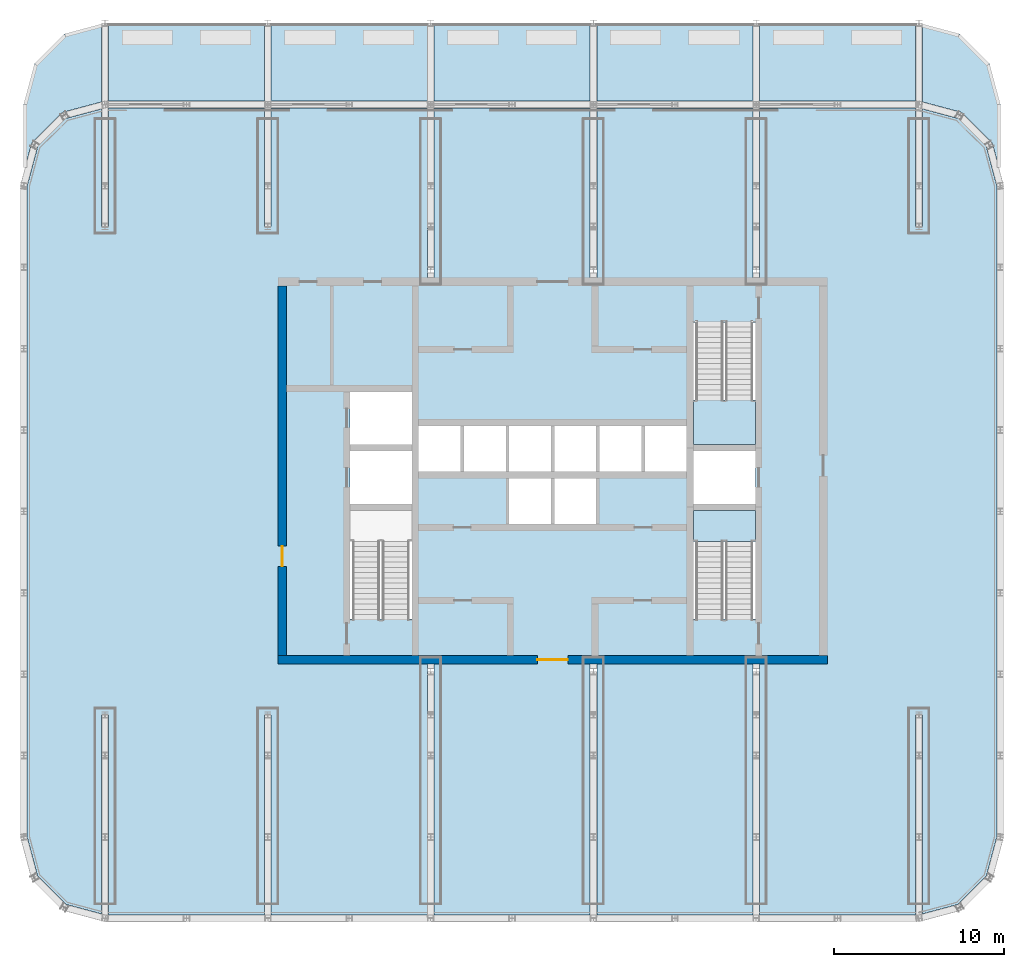
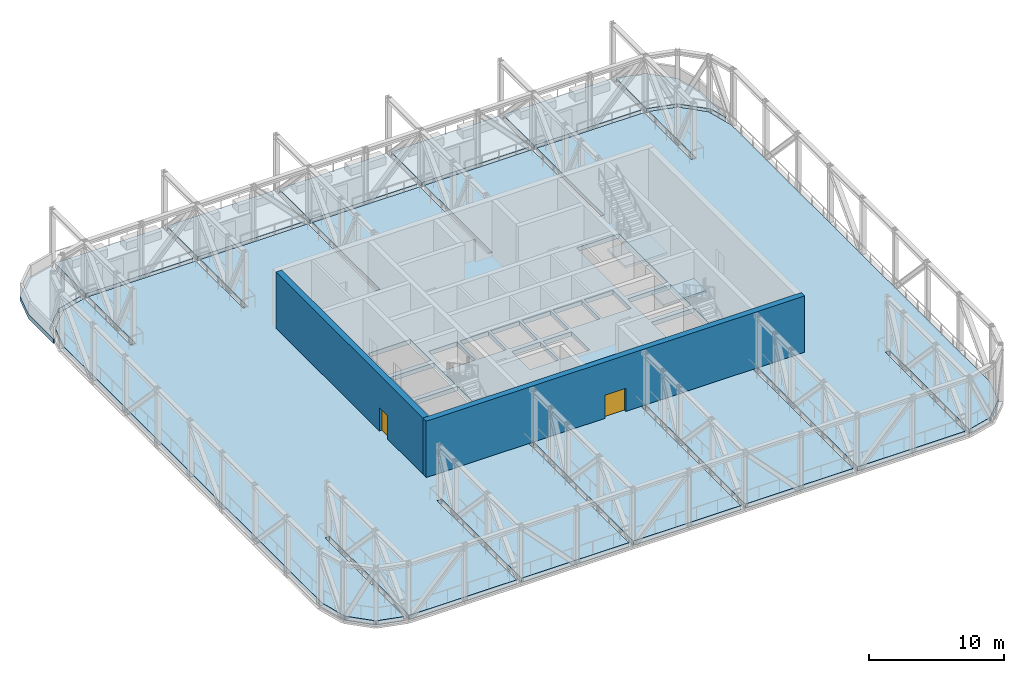
# One storey, part 8 of 16: 10 slabs, 2 doors, 2 walls, 2 openings, 2 elements without a shape of their own.
"""IFC4 building model written with IfcOpenShell, lengths in metres."""

from ifc_helpers import new_model, si_unit, direction, frame, frame_2d, origin, place, context, subcontext, project, spatial, polyline, rectangle, outline, extrude, material, layer, layer_set, type_object, element, fill, aggregate, save


model = new_model("IFC4")

# Units and contexts
model_context = context("Model", 3, precision=1e-05, world=origin(), true_north=direction((0.0, 1.0)))
body_context = subcontext(model_context, "Body", "Model", "MODEL_VIEW")
ifc_project = project(units=[si_unit("LENGTHUNIT", "METRE"), si_unit("AREAUNIT", "SQUARE_METRE"), si_unit("VOLUMEUNIT", "CUBIC_METRE"), si_unit("PLANEANGLEUNIT", "RADIAN"), si_unit("MASSUNIT", "GRAM", prefix="KILO")], contexts=[model_context])

# Site, building, storey
site_placement = place(None, origin())
site = spatial("IfcSite", under=ifc_project, at=site_placement, CompositionType="ELEMENT")
building_placement = place(site_placement, origin())
building = spatial("IfcBuilding", under=site, at=building_placement, Name="Madar Terraces", CompositionType="ELEMENT")
storey_placement = place(building_placement, frame((0.0, 0.0, 263.199951171875)))
storey = spatial("IfcBuildingStorey", under=building, at=storey_placement, Name="L69", CompositionType="ELEMENT", Elevation=263.199951171875)

# Slab
ifc_material_1 = material(Name="Concrete C50/60", Category="concrete")
ifc_layer_1 = layer(ifc_material_1, 0.39990234375)
ifc_layer_set_1 = layer_set([ifc_layer_1], Name="FS6 PT flat slab 400")
slab_type_1 = type_object("IfcSlabType", Name="FS6 PT flat slab 400", PredefinedType="FLOOR", material=ifc_layer_set_1)
slab_1_placement = place(storey_placement, frame((0.0, 0.0, -0.39990234375)))
element("IfcSlab", 1, at=slab_1_placement, inside=storey, type_object=slab_type_1, Name="Floor slab L69 (1)", PredefinedType="FLOOR", context=body_context, shape_type="SweptSolid", body=[
    extrude(outline(polyline([(43.398193359375, 0.197998046875), (52.601806640625, 0.197998046875), (52.601806640625, 12.0), (52.998046875, 12.0), (52.998046875, 0.25830078125), (55.097412109375, 0.82080078125), (56.779296875, 2.50244140625), (57.40185546875, 4.826171875), (57.40185546875, 43.173828125), (56.779296875, 45.49755859375), (55.097412109375, 47.17919921875), (52.998046875, 47.74169921875), (52.998046875, 40.800048828125), (52.601806640625, 40.800048828125), (52.601806640625, 47.802001953125), (43.398193359375, 47.802001953125), (43.398193359375, 37.800048828125), (43.001953125, 37.800048828125), (43.001953125, 47.802001953125), (33.798095703125, 47.802001953125), (33.798095703125, 37.800048828125), (33.40185546875, 37.800048828125), (33.40185546875, 47.802001953125), (24.197998046875, 47.802001953125), (24.197998046875, 37.800048828125), (23.802001953125, 37.800048828125), (23.802001953125, 47.802001953125), (14.59814453125, 47.802001953125), (14.59814453125, 40.800048828125), (14.201904296875, 40.800048828125), (14.201904296875, 47.802001953125), (4.998046875, 47.802001953125), (4.998046875, 40.800048828125), (4.601806640625, 40.800048828125), (4.601806640625, 47.74169921875), (2.50244140625, 47.17919921875), (0.82080078125, 45.49755859375), (0.197998046875, 43.173828125), (0.197998046875, 4.826171875), (0.82080078125, 2.50244140625), (2.50244140625, 0.82080078125), (4.601806640625, 0.25830078125), (4.601806640625, 12.0), (4.998046875, 12.0), (4.998046875, 0.197998046875), (14.201904296875, 0.197998046875), (14.201904296875, 12.0), (14.59814453125, 12.0), (14.59814453125, 0.197998046875), (23.802001953125, 0.197998046875), (23.802001953125, 15.0), (24.197998046875, 15.0), (24.197998046875, 0.197998046875), (33.40185546875, 0.197998046875), (33.40185546875, 15.0), (33.798095703125, 15.0), (33.798095703125, 0.197998046875), (43.001953125, 0.197998046875), (43.001953125, 15.0), (43.398193359375, 15.0), (43.398193359375, 0.197998046875)]), holes=[polyline([(22.89990234375, 17.64990234375), (19.25, 17.64990234375), (19.25, 24.050048828125), (22.89990234375, 24.050048828125), (22.89990234375, 17.64990234375)]), polyline([(28.63330078125, 23.25), (28.63330078125, 25.949951171875), (31.10009765625, 25.949951171875), (31.10009765625, 23.25), (28.63330078125, 23.25)]), polyline([(19.25, 24.449951171875), (19.25, 27.550048828125), (22.89990234375, 27.550048828125), (22.89990234375, 24.449951171875), (19.25, 24.449951171875)]), polyline([(23.300048828125, 26.35009765625), (23.300048828125, 29.050048828125), (25.7666015625, 29.050048828125), (25.7666015625, 26.35009765625), (23.300048828125, 26.35009765625)]), polyline([(25.966552734375, 26.35009765625), (25.966552734375, 29.050048828125), (28.433349609375, 29.050048828125), (28.433349609375, 26.35009765625), (25.966552734375, 26.35009765625)]), polyline([(28.63330078125, 26.35009765625), (28.63330078125, 29.050048828125), (31.10009765625, 29.050048828125), (31.10009765625, 26.35009765625), (28.63330078125, 26.35009765625)]), polyline([(19.25, 27.949951171875), (19.25, 31.050048828125), (22.89990234375, 31.050048828125), (22.89990234375, 27.949951171875), (19.25, 27.949951171875)]), polyline([(43.14990234375, 17.64990234375), (39.5, 17.64990234375), (39.5, 24.050048828125), (43.14990234375, 24.050048828125), (43.14990234375, 17.64990234375)]), polyline([(31.300048828125, 23.25), (31.300048828125, 25.949951171875), (33.7666015625, 25.949951171875), (33.7666015625, 23.25), (31.300048828125, 23.25)]), polyline([(39.5, 24.449951171875), (39.5, 27.550048828125), (43.14990234375, 27.550048828125), (43.14990234375, 24.449951171875), (39.5, 24.449951171875)]), polyline([(31.300048828125, 26.35009765625), (31.300048828125, 29.050048828125), (33.7666015625, 29.050048828125), (33.7666015625, 26.35009765625), (31.300048828125, 26.35009765625)]), polyline([(33.966552734375, 26.35009765625), (33.966552734375, 29.050048828125), (36.433349609375, 29.050048828125), (36.433349609375, 26.35009765625), (33.966552734375, 26.35009765625)]), polyline([(36.63330078125, 26.35009765625), (36.63330078125, 29.050048828125), (39.10009765625, 29.050048828125), (39.10009765625, 26.35009765625), (36.63330078125, 26.35009765625)]), polyline([(39.5, 27.949951171875), (39.5, 35.14990234375), (43.14990234375, 35.14990234375), (43.14990234375, 27.949951171875), (39.5, 27.949951171875)])]), origin(), (0.0, 0.0, 1.0), 0.39990234375),
])

# Stair, slab
ifc_material_2 = material(Name="Concrete C50/60", Category="concrete")
stair_type_1 = type_object("IfcStairType", Name="Stair ST2 protected exit", PredefinedType="HALF_TURN_STAIR", material=ifc_material_2)
stair_1_placement = place(storey_placement, origin())
stair_1 = element("IfcStair", 2, at=stair_1_placement, inside=storey, type_object=stair_type_1, Name="L69 Protected Exit Stair ST2", PredefinedType="HALF_TURN_STAIR")
ifc_material_3 = material(Name="Concrete C50/60", Category="concrete")
ifc_layer_2 = layer(ifc_material_3, 0.199951171875)
ifc_layer_set_2 = layer_set([ifc_layer_2], Name="Stair landing 200, top +2.70")
slab_type_2 = type_object("IfcSlabType", Name="Stair landing 200, top +2.70", PredefinedType="LANDING", material=ifc_layer_set_2)
slab_2_placement = place(storey_placement, frame((0.0, 0.0, 2.5)))
slab_2 = element("IfcSlab", 3, at=slab_2_placement, type_object=slab_type_2, Name="ST2 landing 1", PredefinedType="LANDING", context=body_context, shape_type="SweptSolid", body=[
    extrude(outline(polyline([(39.5, 27.949951171875), (43.14990234375, 27.949951171875), (43.14990234375, 30.580078125), (39.5, 30.580078125), (39.5, 27.949951171875)])), origin(), (0.0, 0.0, 1.0), 0.199951171875),
])
aggregate(stair_1, [slab_2])

ifc_material_4 = material(Name="Concrete C50/60", Category="concrete")
stair_type_2 = type_object("IfcStairType", Name="Stair ST3 protected exit", PredefinedType="HALF_TURN_STAIR", material=ifc_material_4)
stair_2_placement = place(storey_placement, origin())
stair_2 = element("IfcStair", 4, at=stair_2_placement, inside=storey, type_object=stair_type_2, Name="L69 Protected Exit Stair ST3", PredefinedType="HALF_TURN_STAIR")
slab_3_placement = place(storey_placement, frame((0.0, 0.0, 2.5)))
slab_3 = element("IfcSlab", 5, at=slab_3_placement, type_object=slab_type_2, Name="ST3 landing 1", PredefinedType="LANDING", context=body_context, shape_type="SweptSolid", body=[
    extrude(outline(polyline([(39.5, 22.219970703125), (43.14990234375, 22.219970703125), (43.14990234375, 24.050048828125), (39.5, 24.050048828125), (39.5, 22.219970703125)])), origin(), (0.0, 0.0, 1.0), 0.199951171875),
])
aggregate(stair_2, [slab_3])

# Slabs
ifc_material_5 = material(Name="Concrete C50/60", Category="concrete")
ifc_layer_3 = layer(ifc_material_5, 0.39990234375)
ifc_layer_set_3 = layer_set([ifc_layer_3], Name="TS1 PT terrace slab 400")
slab_type_3 = type_object("IfcSlabType", Name="TS1 PT terrace slab 400", PredefinedType="FLOOR", material=ifc_layer_set_3)
slab_4_placement = place(storey_placement, frame((0.0, 0.0, -0.39990234375)))
element("IfcSlab", 6, at=slab_4_placement, inside=storey, type_object=slab_type_3, Name="Terrace roof slab L69 (1)", PredefinedType="FLOOR", context=body_context, shape_type="SweptSolid", body=[
    extrude(outline(polyline([(0.098388671875, 44.332275390625), (0.465087890625, 45.701171875), (0.465576171875, 45.70263671875), (0.46630859375, 45.703369140625), (2.296630859375, 47.53369140625), (2.29736328125, 47.534423828125), (2.298828125, 47.534912109375), (4.56494140625, 48.14208984375), (4.569580078125, 48.1435546875), (4.57421875, 48.145751953125), (4.57861328125, 48.148193359375), (4.582763671875, 48.151123046875), (4.58642578125, 48.154296875), (4.590087890625, 48.157958984375), (4.593017578125, 48.161865234375), (4.595703125, 48.166259765625), (4.597900390625, 48.1708984375), (4.599609375, 48.175537109375), (4.600830078125, 48.180419921875), (4.6015625, 48.185302734375), (4.601806640625, 48.1904296875), (4.601806640625, 52.681640625), (4.6015625, 52.6865234375), (4.60107421875, 52.69140625), (4.599853515625, 52.696044921875), (4.59814453125, 52.70068359375), (4.59619140625, 52.704833984375), (4.59375, 52.708984375), (4.5908203125, 52.712890625), (4.587646484375, 52.716552734375), (4.584228515625, 52.719970703125), (4.580322265625, 52.722900390625), (4.576171875, 52.725341796875), (4.572021484375, 52.7275390625), (4.5673828125, 52.729248046875), (4.562744140625, 52.73046875), (4.55810546875, 52.7314453125), (4.55322265625, 52.731689453125), (4.54833984375, 52.731689453125), (4.543701171875, 52.73095703125), (4.538818359375, 52.72998046875), (2.412841796875, 52.160400390625), (2.407958984375, 52.15869140625), (2.403076171875, 52.15673828125), (2.398681640625, 52.154052734375), (2.39453125, 52.15087890625), (2.390625, 52.1474609375), (0.652587890625, 50.409423828125), (0.649169921875, 50.405517578125), (0.64599609375, 50.4013671875), (0.643310546875, 50.396728515625), (0.64111328125, 50.39208984375), (0.6396484375, 50.386962890625), (0.001708984375, 48.00634765625), (0.000732421875, 48.002197265625), (0.000244140625, 47.997802734375), (0.0, 47.993408203125), (0.0, 44.34521484375), (0.000244140625, 44.34033203125), (0.0009765625, 44.33544921875), (0.002197265625, 44.33056640625), (0.00390625, 44.325927734375), (0.006103515625, 44.321533203125), (0.008544921875, 44.317138671875), (0.01171875, 44.313232421875), (0.014892578125, 44.3095703125), (0.0185546875, 44.306396484375), (0.022705078125, 44.303466796875), (0.027099609375, 44.30078125), (0.031494140625, 44.298828125), (0.0361328125, 44.297119140625), (0.041015625, 44.296142578125), (0.0458984375, 44.29541015625), (0.05078125, 44.295166015625), (0.055908203125, 44.295654296875), (0.060791015625, 44.29638671875), (0.0654296875, 44.2978515625), (0.070068359375, 44.299560546875), (0.07470703125, 44.3017578125), (0.078857421875, 44.304443359375), (0.082763671875, 44.307373046875), (0.086181640625, 44.310791015625), (0.089599609375, 44.314697265625), (0.09228515625, 44.318603515625), (0.0947265625, 44.322998046875), (0.0966796875, 44.32763671875), (0.098388671875, 44.332275390625)])), origin(), (0.0, 0.0, 1.0), 0.39990234375),
])
slab_5_placement = place(storey_placement, frame((0.0, 0.0, -0.39990234375)))
element("IfcSlab", 7, at=slab_5_placement, inside=storey, type_object=slab_type_3, Name="Terrace roof slab L69 (2)", PredefinedType="FLOOR", context=body_context, shape_type="SweptSolid", body=[
    extrude(outline(polyline([(14.16162109375, 52.799072265625), (14.15673828125, 52.7998046875), (14.15185546875, 52.800048828125), (5.048095703125, 52.800048828125), (5.043212890625, 52.7998046875), (5.038330078125, 52.799072265625), (5.03369140625, 52.7978515625), (5.029052734375, 52.796142578125), (5.024658203125, 52.794189453125), (5.020263671875, 52.79150390625), (5.016357421875, 52.78857421875), (5.0126953125, 52.785400390625), (5.009521484375, 52.78173828125), (5.006591796875, 52.77783203125), (5.00390625, 52.773681640625), (5.001953125, 52.76904296875), (5.000244140625, 52.764404296875), (4.9990234375, 52.759765625), (4.998291015625, 52.7548828125), (4.998046875, 52.75), (4.998046875, 48.248046875), (4.998291015625, 48.2431640625), (4.9990234375, 48.23828125), (5.000244140625, 48.233642578125), (5.001953125, 48.22900390625), (5.00390625, 48.224609375), (5.006591796875, 48.220458984375), (5.009521484375, 48.21630859375), (5.0126953125, 48.212646484375), (5.016357421875, 48.20947265625), (5.020263671875, 48.20654296875), (5.024658203125, 48.2041015625), (5.029052734375, 48.201904296875), (5.03369140625, 48.2001953125), (5.038330078125, 48.198974609375), (5.043212890625, 48.1982421875), (5.048095703125, 48.197998046875), (14.15185546875, 48.197998046875), (14.15673828125, 48.1982421875), (14.16162109375, 48.198974609375), (14.16650390625, 48.2001953125), (14.1708984375, 48.201904296875), (14.175537109375, 48.2041015625), (14.1796875, 48.20654296875), (14.18359375, 48.20947265625), (14.187255859375, 48.212646484375), (14.1904296875, 48.21630859375), (14.193359375, 48.220458984375), (14.196044921875, 48.224609375), (14.197998046875, 48.22900390625), (14.19970703125, 48.233642578125), (14.200927734375, 48.23828125), (14.20166015625, 48.2431640625), (14.201904296875, 48.248046875), (14.201904296875, 52.75), (14.20166015625, 52.7548828125), (14.200927734375, 52.759765625), (14.19970703125, 52.764404296875), (14.197998046875, 52.76904296875), (14.196044921875, 52.773681640625), (14.193359375, 52.77783203125), (14.1904296875, 52.78173828125), (14.187255859375, 52.785400390625), (14.18359375, 52.78857421875), (14.1796875, 52.79150390625), (14.175537109375, 52.794189453125), (14.1708984375, 52.796142578125), (14.16650390625, 52.7978515625), (14.16162109375, 52.799072265625)])), origin(), (0.0, 0.0, 1.0), 0.39990234375),
])
slab_6_placement = place(storey_placement, frame((0.0, 0.0, -0.39990234375)))
element("IfcSlab", 8, at=slab_6_placement, inside=storey, type_object=slab_type_3, Name="Terrace roof slab L69 (3)", PredefinedType="FLOOR", context=body_context, shape_type="SweptSolid", body=[
    extrude(outline(polyline([(23.76171875, 52.799072265625), (23.7568359375, 52.7998046875), (23.751953125, 52.800048828125), (14.648193359375, 52.800048828125), (14.643310546875, 52.7998046875), (14.638427734375, 52.799072265625), (14.633544921875, 52.7978515625), (14.62890625, 52.796142578125), (14.62451171875, 52.794189453125), (14.620361328125, 52.79150390625), (14.616455078125, 52.78857421875), (14.61279296875, 52.785400390625), (14.609375, 52.78173828125), (14.6064453125, 52.77783203125), (14.60400390625, 52.773681640625), (14.601806640625, 52.76904296875), (14.600341796875, 52.764404296875), (14.59912109375, 52.759765625), (14.598388671875, 52.7548828125), (14.59814453125, 52.75), (14.59814453125, 48.248046875), (14.598388671875, 48.2431640625), (14.59912109375, 48.23828125), (14.600341796875, 48.233642578125), (14.601806640625, 48.22900390625), (14.60400390625, 48.224609375), (14.6064453125, 48.220458984375), (14.609375, 48.21630859375), (14.61279296875, 48.212646484375), (14.616455078125, 48.20947265625), (14.620361328125, 48.20654296875), (14.62451171875, 48.2041015625), (14.62890625, 48.201904296875), (14.633544921875, 48.2001953125), (14.638427734375, 48.198974609375), (14.643310546875, 48.1982421875), (14.648193359375, 48.197998046875), (23.751953125, 48.197998046875), (23.7568359375, 48.1982421875), (23.76171875, 48.198974609375), (23.766357421875, 48.2001953125), (23.77099609375, 48.201904296875), (23.775390625, 48.2041015625), (23.779541015625, 48.20654296875), (23.78369140625, 48.20947265625), (23.787353515625, 48.212646484375), (23.79052734375, 48.21630859375), (23.79345703125, 48.220458984375), (23.7958984375, 48.224609375), (23.798095703125, 48.22900390625), (23.7998046875, 48.233642578125), (23.801025390625, 48.23828125), (23.8017578125, 48.2431640625), (23.802001953125, 48.248046875), (23.802001953125, 52.75), (23.8017578125, 52.7548828125), (23.801025390625, 52.759765625), (23.7998046875, 52.764404296875), (23.798095703125, 52.76904296875), (23.7958984375, 52.773681640625), (23.79345703125, 52.77783203125), (23.79052734375, 52.78173828125), (23.787353515625, 52.785400390625), (23.78369140625, 52.78857421875), (23.779541015625, 52.79150390625), (23.775390625, 52.794189453125), (23.77099609375, 52.796142578125), (23.766357421875, 52.7978515625), (23.76171875, 52.799072265625)])), origin(), (0.0, 0.0, 1.0), 0.39990234375),
])
slab_7_placement = place(storey_placement, frame((0.0, 0.0, -0.39990234375)))
element("IfcSlab", 9, at=slab_7_placement, inside=storey, type_object=slab_type_3, Name="Terrace roof slab L69 (4)", PredefinedType="FLOOR", context=body_context, shape_type="SweptSolid", body=[
    extrude(outline(polyline([(33.361572265625, 52.799072265625), (33.356689453125, 52.7998046875), (33.351806640625, 52.800048828125), (24.248046875, 52.800048828125), (24.2431640625, 52.7998046875), (24.23828125, 52.799072265625), (24.233642578125, 52.7978515625), (24.22900390625, 52.796142578125), (24.224609375, 52.794189453125), (24.220458984375, 52.79150390625), (24.21630859375, 52.78857421875), (24.212646484375, 52.785400390625), (24.20947265625, 52.78173828125), (24.20654296875, 52.77783203125), (24.2041015625, 52.773681640625), (24.201904296875, 52.76904296875), (24.2001953125, 52.764404296875), (24.198974609375, 52.759765625), (24.1982421875, 52.7548828125), (24.197998046875, 52.75), (24.197998046875, 48.248046875), (24.1982421875, 48.2431640625), (24.198974609375, 48.23828125), (24.2001953125, 48.233642578125), (24.201904296875, 48.22900390625), (24.2041015625, 48.224609375), (24.20654296875, 48.220458984375), (24.20947265625, 48.21630859375), (24.212646484375, 48.212646484375), (24.21630859375, 48.20947265625), (24.220458984375, 48.20654296875), (24.224609375, 48.2041015625), (24.22900390625, 48.201904296875), (24.233642578125, 48.2001953125), (24.23828125, 48.198974609375), (24.2431640625, 48.1982421875), (24.248046875, 48.197998046875), (33.351806640625, 48.197998046875), (33.356689453125, 48.1982421875), (33.361572265625, 48.198974609375), (33.366455078125, 48.2001953125), (33.37109375, 48.201904296875), (33.37548828125, 48.2041015625), (33.379638671875, 48.20654296875), (33.383544921875, 48.20947265625), (33.38720703125, 48.212646484375), (33.390625, 48.21630859375), (33.3935546875, 48.220458984375), (33.39599609375, 48.224609375), (33.398193359375, 48.22900390625), (33.399658203125, 48.233642578125), (33.40087890625, 48.23828125), (33.401611328125, 48.2431640625), (33.40185546875, 48.248046875), (33.40185546875, 52.75), (33.401611328125, 52.7548828125), (33.40087890625, 52.759765625), (33.399658203125, 52.764404296875), (33.398193359375, 52.76904296875), (33.39599609375, 52.773681640625), (33.3935546875, 52.77783203125), (33.390625, 52.78173828125), (33.38720703125, 52.785400390625), (33.383544921875, 52.78857421875), (33.379638671875, 52.79150390625), (33.37548828125, 52.794189453125), (33.37109375, 52.796142578125), (33.366455078125, 52.7978515625), (33.361572265625, 52.799072265625)])), origin(), (0.0, 0.0, 1.0), 0.39990234375),
])
slab_8_placement = place(storey_placement, frame((0.0, 0.0, -0.39990234375)))
element("IfcSlab", 10, at=slab_8_placement, inside=storey, type_object=slab_type_3, Name="Terrace roof slab L69 (5)", PredefinedType="FLOOR", context=body_context, shape_type="SweptSolid", body=[
    extrude(outline(polyline([(42.961669921875, 52.799072265625), (42.956787109375, 52.7998046875), (42.951904296875, 52.800048828125), (33.84814453125, 52.800048828125), (33.84326171875, 52.7998046875), (33.83837890625, 52.799072265625), (33.83349609375, 52.7978515625), (33.8291015625, 52.796142578125), (33.824462890625, 52.794189453125), (33.8203125, 52.79150390625), (33.81640625, 52.78857421875), (33.812744140625, 52.785400390625), (33.8095703125, 52.78173828125), (33.806640625, 52.77783203125), (33.803955078125, 52.773681640625), (33.802001953125, 52.76904296875), (33.80029296875, 52.764404296875), (33.799072265625, 52.759765625), (33.79833984375, 52.7548828125), (33.798095703125, 52.75), (33.798095703125, 48.248046875), (33.79833984375, 48.2431640625), (33.799072265625, 48.23828125), (33.80029296875, 48.233642578125), (33.802001953125, 48.22900390625), (33.803955078125, 48.224609375), (33.806640625, 48.220458984375), (33.8095703125, 48.21630859375), (33.812744140625, 48.212646484375), (33.81640625, 48.20947265625), (33.8203125, 48.20654296875), (33.824462890625, 48.2041015625), (33.8291015625, 48.201904296875), (33.83349609375, 48.2001953125), (33.83837890625, 48.198974609375), (33.84326171875, 48.1982421875), (33.84814453125, 48.197998046875), (42.951904296875, 48.197998046875), (42.956787109375, 48.1982421875), (42.961669921875, 48.198974609375), (42.96630859375, 48.2001953125), (42.970947265625, 48.201904296875), (42.975341796875, 48.2041015625), (42.979736328125, 48.20654296875), (42.983642578125, 48.20947265625), (42.9873046875, 48.212646484375), (42.990478515625, 48.21630859375), (42.993408203125, 48.220458984375), (42.99609375, 48.224609375), (42.998046875, 48.22900390625), (42.999755859375, 48.233642578125), (43.0009765625, 48.23828125), (43.001708984375, 48.2431640625), (43.001953125, 48.248046875), (43.001953125, 52.75), (43.001708984375, 52.7548828125), (43.0009765625, 52.759765625), (42.999755859375, 52.764404296875), (42.998046875, 52.76904296875), (42.99609375, 52.773681640625), (42.993408203125, 52.77783203125), (42.990478515625, 52.78173828125), (42.9873046875, 52.785400390625), (42.983642578125, 52.78857421875), (42.979736328125, 52.79150390625), (42.975341796875, 52.794189453125), (42.970947265625, 52.796142578125), (42.96630859375, 52.7978515625), (42.961669921875, 52.799072265625)])), origin(), (0.0, 0.0, 1.0), 0.39990234375),
])
slab_9_placement = place(storey_placement, frame((0.0, 0.0, -0.39990234375)))
element("IfcSlab", 11, at=slab_9_placement, inside=storey, type_object=slab_type_3, Name="Terrace roof slab L69 (6)", PredefinedType="FLOOR", context=body_context, shape_type="SweptSolid", body=[
    extrude(outline(polyline([(52.5615234375, 52.799072265625), (52.556884765625, 52.7998046875), (52.552001953125, 52.800048828125), (43.447998046875, 52.800048828125), (43.443115234375, 52.7998046875), (43.4384765625, 52.799072265625), (43.43359375, 52.7978515625), (43.428955078125, 52.796142578125), (43.424560546875, 52.794189453125), (43.42041015625, 52.79150390625), (43.41650390625, 52.78857421875), (43.412841796875, 52.785400390625), (43.409423828125, 52.78173828125), (43.406494140625, 52.77783203125), (43.404052734375, 52.773681640625), (43.40185546875, 52.76904296875), (43.400390625, 52.764404296875), (43.399169921875, 52.759765625), (43.3984375, 52.7548828125), (43.398193359375, 52.75), (43.398193359375, 48.248046875), (43.3984375, 48.2431640625), (43.399169921875, 48.23828125), (43.400390625, 48.233642578125), (43.40185546875, 48.22900390625), (43.404052734375, 48.224609375), (43.406494140625, 48.220458984375), (43.409423828125, 48.21630859375), (43.412841796875, 48.212646484375), (43.41650390625, 48.20947265625), (43.42041015625, 48.20654296875), (43.424560546875, 48.2041015625), (43.428955078125, 48.201904296875), (43.43359375, 48.2001953125), (43.4384765625, 48.198974609375), (43.443115234375, 48.1982421875), (43.447998046875, 48.197998046875), (52.552001953125, 48.197998046875), (52.556884765625, 48.1982421875), (52.5615234375, 48.198974609375), (52.56640625, 48.2001953125), (52.571044921875, 48.201904296875), (52.575439453125, 48.2041015625), (52.57958984375, 48.20654296875), (52.58349609375, 48.20947265625), (52.587158203125, 48.212646484375), (52.590576171875, 48.21630859375), (52.593505859375, 48.220458984375), (52.595947265625, 48.224609375), (52.59814453125, 48.22900390625), (52.599609375, 48.233642578125), (52.600830078125, 48.23828125), (52.6015625, 48.2431640625), (52.601806640625, 48.248046875), (52.601806640625, 52.75), (52.6015625, 52.7548828125), (52.600830078125, 52.759765625), (52.599609375, 52.764404296875), (52.59814453125, 52.76904296875), (52.595947265625, 52.773681640625), (52.593505859375, 52.77783203125), (52.590576171875, 52.78173828125), (52.587158203125, 52.785400390625), (52.58349609375, 52.78857421875), (52.57958984375, 52.79150390625), (52.575439453125, 52.794189453125), (52.571044921875, 52.796142578125), (52.56640625, 52.7978515625), (52.5615234375, 52.799072265625)])), origin(), (0.0, 0.0, 1.0), 0.39990234375),
])
slab_10_placement = place(storey_placement, frame((0.0, 0.0, -0.39990234375)))
element("IfcSlab", 12, at=slab_10_placement, inside=storey, type_object=slab_type_3, Name="Terrace roof slab L69 (7)", PredefinedType="FLOOR", context=body_context, shape_type="SweptSolid", body=[
    extrude(outline(polyline([(55.192138671875, 52.15869140625), (55.18701171875, 52.160400390625), (53.06103515625, 52.72998046875), (53.056396484375, 52.73095703125), (53.051513671875, 52.731689453125), (53.046630859375, 52.731689453125), (53.0419921875, 52.7314453125), (53.037109375, 52.73046875), (53.032470703125, 52.729248046875), (53.028076171875, 52.7275390625), (53.023681640625, 52.725341796875), (53.01953125, 52.722900390625), (53.015869140625, 52.719970703125), (53.01220703125, 52.716552734375), (53.009033203125, 52.712890625), (53.00634765625, 52.708984375), (53.00390625, 52.704833984375), (53.001708984375, 52.70068359375), (53.000244140625, 52.696044921875), (52.9990234375, 52.69140625), (52.998291015625, 52.6865234375), (52.998046875, 52.681640625), (52.998046875, 48.1904296875), (52.998291015625, 48.185302734375), (52.9990234375, 48.180419921875), (53.00048828125, 48.175537109375), (53.002197265625, 48.1708984375), (53.00439453125, 48.166259765625), (53.007080078125, 48.161865234375), (53.010009765625, 48.157958984375), (53.013427734375, 48.154296875), (53.017333984375, 48.151123046875), (53.021484375, 48.148193359375), (53.02587890625, 48.145751953125), (53.0302734375, 48.1435546875), (53.03515625, 48.14208984375), (55.30126953125, 47.534912109375), (55.302490234375, 47.534423828125), (55.303466796875, 47.53369140625), (57.133544921875, 45.703369140625), (57.134521484375, 45.70263671875), (57.135009765625, 45.701171875), (57.501708984375, 44.332275390625), (57.503173828125, 44.32763671875), (57.505126953125, 44.322998046875), (57.507568359375, 44.318603515625), (57.510498046875, 44.314697265625), (57.513671875, 44.310791015625), (57.517333984375, 44.307373046875), (57.521240234375, 44.304443359375), (57.525390625, 44.3017578125), (57.52978515625, 44.299560546875), (57.534423828125, 44.2978515625), (57.539306640625, 44.29638671875), (57.544189453125, 44.295654296875), (57.549072265625, 44.295166015625), (57.553955078125, 44.29541015625), (57.55908203125, 44.296142578125), (57.563720703125, 44.297119140625), (57.568603515625, 44.298828125), (57.572998046875, 44.30078125), (57.577392578125, 44.303466796875), (57.581298828125, 44.306396484375), (57.5849609375, 44.3095703125), (57.58837890625, 44.313232421875), (57.59130859375, 44.317138671875), (57.593994140625, 44.321533203125), (57.59619140625, 44.325927734375), (57.597900390625, 44.33056640625), (57.59912109375, 44.33544921875), (57.599853515625, 44.34033203125), (57.60009765625, 44.34521484375), (57.60009765625, 47.993408203125), (57.599853515625, 47.997802734375), (57.59912109375, 48.002197265625), (57.598388671875, 48.00634765625), (56.96044921875, 50.386962890625), (56.958740234375, 50.39208984375), (56.95654296875, 50.396728515625), (56.9541015625, 50.4013671875), (56.950927734375, 50.405517578125), (56.947509765625, 50.409423828125), (55.20947265625, 52.1474609375), (55.20556640625, 52.15087890625), (55.201416015625, 52.154052734375), (55.19677734375, 52.15673828125), (55.192138671875, 52.15869140625)])), origin(), (0.0, 0.0, 1.0), 0.39990234375),
])

# Wall, opening, door
ifc_material_6 = material(Name="Concrete C50/60", Category="concrete")
ifc_layer_4 = layer(ifc_material_6, 0.5)
ifc_layer_set_4 = layer_set([ifc_layer_4], Name="Concrete C50/60 (CRW6 RC wall 500)")
wall_type = type_object("IfcWallType", Name="CRW6 RC wall 500", PredefinedType="SHEAR", material=ifc_layer_set_4)
wall_1_placement = place(storey_placement, frame((15.0, 15.25, 0.0), z_axis=(0.0, 0.0, 1.0), x_axis=(1.0, 0.0, 0.0)))
wall_1 = element("IfcWall", 13, at=wall_1_placement, inside=storey, type_object=wall_type, Name="CORE OUTER WALL", PredefinedType="SHEAR", context=body_context, shape_type="SweptSolid", body=[
    extrude(rectangle(XDim=32.39990234375, YDim=0.5, at=frame_2d((16.199951171875, 0.0))), origin(), (0.0, 0.0, 1.0), 5.10009765625),
])
opening_1_placement = place(wall_1_placement, frame((15.300048828125, 0.0, 0.0)))
opening_1 = element("IfcOpeningElement", 14, at=opening_1_placement, cuts=wall_1, Name="Opening KD1", PredefinedType="OPENING", context=body_context, shape_type="SweptSolid", body=[
    extrude(rectangle(XDim=1.800048828125, YDim=2.10009765625, at=frame_2d((0.89990234375, 1.050048828125))), frame((0.0, 0.260009765625, 0.0), z_axis=(0.0, -1.0, 0.0), x_axis=(1.0, 0.0, 0.0)), (0.0, 0.0, 1.0), 0.52001953125),
])
ifc_material_7 = material(Name="Steel door leaf", Category="steel")
door_type_1 = type_object("IfcDoorType", Name="Lobby door pair 1800 x 2100", OperationType="DOUBLE_DOOR_SINGLE_SWING", PredefinedType="DOOR", material=ifc_material_7)
door_1_placement = place(opening_1_placement, frame((1.800048828125, 0.0, 0.0), z_axis=(0.0, 0.0, 1.0), x_axis=(-1.0, 0.0, 0.0)))
door_1 = element("IfcDoor", 15, at=door_1_placement, inside=storey, type_object=door_type_1, Name="LIFT LOBBY DOOR", OperationType="DOUBLE_DOOR_SINGLE_SWING", OverallHeight=2.10009765625, OverallWidth=1.800048828125, PredefinedType="DOOR", context=body_context, shape_type="SweptSolid", body=[
    extrude(rectangle(XDim=1.800048828125, YDim=2.10009765625, at=frame_2d((0.89990234375, 1.050048828125))), frame((0.0, 0.02490234375, 0.0), z_axis=(0.0, -1.0, 0.0), x_axis=(1.0, 0.0, 0.0)), (0.0, 0.0, 1.0), 0.050048828125),
])
fill(opening_1, door_1)

wall_2_placement = place(storey_placement, frame((15.25, 15.5, 0.0), z_axis=(0.0, 0.0, 1.0), x_axis=(0.0, 1.0, 0.0)))
wall_2 = element("IfcWall", 16, at=wall_2_placement, inside=storey, type_object=wall_type, Name="CORE OUTER WALL", PredefinedType="SHEAR", context=body_context, shape_type="SweptSolid", body=[
    extrude(rectangle(XDim=21.800048828125, YDim=0.5, at=frame_2d((10.89990234375, 0.0))), origin(), (0.0, 0.0, 1.0), 5.10009765625),
])
opening_2_placement = place(wall_2_placement, frame((5.260009765625, 0.0, 0.0)))
opening_2 = element("IfcOpeningElement", 17, at=opening_2_placement, cuts=wall_2, Name="Opening SD1", PredefinedType="OPENING", context=body_context, shape_type="SweptSolid", body=[
    extrude(rectangle(XDim=1.199951171875, YDim=2.10009765625, at=frame_2d((0.60009765625, 1.050048828125))), frame((0.0, 0.260009765625, 0.0), z_axis=(0.0, -1.0, 0.0), x_axis=(1.0, 0.0, 0.0)), (0.0, 0.0, 1.0), 0.52001953125),
])
ifc_material_8 = material(Name="Steel door leaf", Category="steel")
door_type_2 = type_object("IfcDoorType", Name="Stair door 1200 x 2100", OperationType="NOTDEFINED", PredefinedType="DOOR", material=ifc_material_8)
door_2_placement = place(opening_2_placement, frame((1.199951171875, 0.0, 0.0), z_axis=(0.0, 0.0, 1.0), x_axis=(-1.0, 0.0, 0.0)))
door_2 = element("IfcDoor", 18, at=door_2_placement, inside=storey, type_object=door_type_2, Name="STAIR DOOR", OperationType="SINGLE_SWING_RIGHT", OverallHeight=2.10009765625, OverallWidth=1.199951171875, PredefinedType="DOOR", context=body_context, shape_type="SweptSolid", body=[
    extrude(rectangle(XDim=1.199951171875, YDim=2.10009765625, at=frame_2d((0.60009765625, 1.050048828125))), frame((0.0, 0.02490234375, 0.0), z_axis=(0.0, -1.0, 0.0), x_axis=(1.0, 0.0, 0.0)), (0.0, 0.0, 1.0), 0.050048828125),
])
fill(opening_2, door_2)

save(model, "model.ifc")
